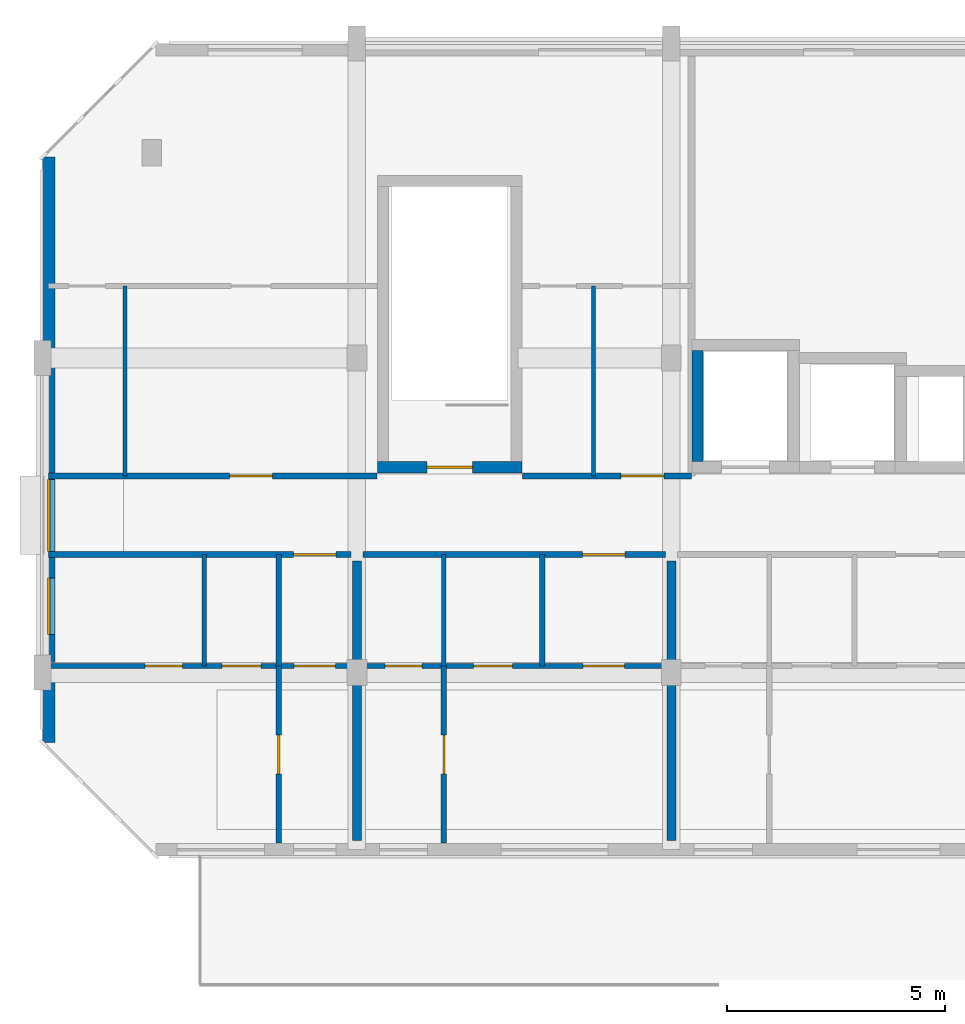
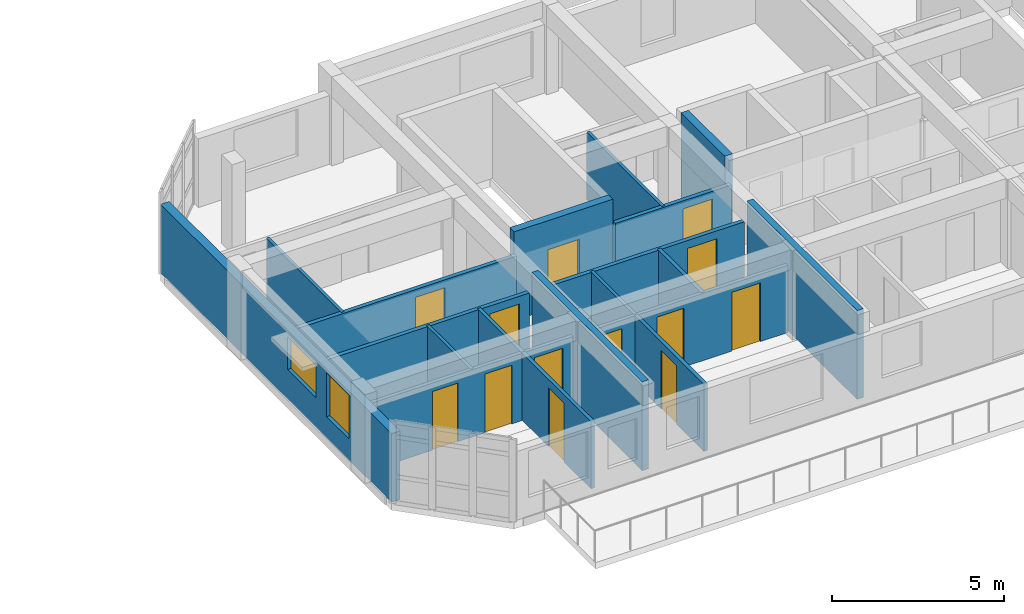
# One storey, part 15 of 40: 19 walls, 13 doors, 2 windows, 15 openings.
"""IFC4 building model written with IfcOpenShell, lengths in metres."""

from ifc_helpers import new_model, si_unit, direction, frame, frame_2d, origin, place, context, subcontext, project, spatial, rectangle, extrude, material, layer, layer_set, type_object, element, fill, save


model = new_model("IFC4")

# Units and contexts
model_context = context("Model", 3, precision=1e-05, world=origin(), true_north=direction((0.0, 1.0)))
body_context = subcontext(model_context, "Body", "Model", "MODEL_VIEW")
ifc_project = project(units=[si_unit("LENGTHUNIT", "METRE"), si_unit("AREAUNIT", "SQUARE_METRE"), si_unit("VOLUMEUNIT", "CUBIC_METRE"), si_unit("PLANEANGLEUNIT", "RADIAN"), si_unit("MASSUNIT", "GRAM", prefix="KILO")], contexts=[model_context])

# Site, building, storey
site_placement = place(None, origin())
site = spatial("IfcSite", under=ifc_project, at=site_placement, CompositionType="ELEMENT")
building_placement = place(site_placement, origin())
building = spatial("IfcBuilding", under=site, at=building_placement, Name="Ochrevale Crest", CompositionType="ELEMENT")
storey_placement = place(building_placement, frame((0.0, 0.0, 27.60009765625)))
storey = spatial("IfcBuildingStorey", under=building, at=storey_placement, Name="L08", CompositionType="ELEMENT", Elevation=27.60009765625)

# Wall, opening, door
ifc_material_1 = material(Name="Gypsum plasterboard", Category="gypsum")
ifc_layer_1 = layer(ifc_material_1, 0.139892578125)
ifc_layer_set_1 = layer_set([ifc_layer_1], Name="Gypsum plasterboard")
wall_type_1 = type_object("IfcWallType", Name="WL-COR-140", PredefinedType="PARTITIONING", material=ifc_layer_set_1)
wall_1_placement = place(storey_placement, frame((0.139892578125, 24.300048828125, 0.0), z_axis=(0.0, 0.0, 1.0), x_axis=(1.0, 0.0, 0.0)))
wall_1 = element("IfcWall", 1, at=wall_1_placement, inside=storey, type_object=wall_type_1, Name="Apartment A-L08-U1 corridor wall", PredefinedType="PARTITIONING", context=body_context, shape_type="SweptSolid", body=[
    extrude(rectangle(XDim=6.920166015625, YDim=0.139892578125, at=frame_2d((3.4599609375, 0.0))), origin(), (0.0, 0.0, 1.0), 2.3798828125),
])
opening_1_placement = place(wall_1_placement, frame((6.5849609375, 0.0, 0.0), z_axis=(0.0, 0.0, 1.0), x_axis=(-1.0, 0.0, 0.0)))
opening_1 = element("IfcOpeningElement", 2, at=opening_1_placement, cuts=wall_1, Name="Opening FD01", PredefinedType="OPENING", context=body_context, shape_type="SweptSolid", body=[
    extrude(rectangle(XDim=0.97998046875, YDim=2.10009765625, at=frame_2d((0.489990234375, 1.050048828125))), frame((0.0, 0.080078125, 0.0), z_axis=(0.0, -1.0, 0.0), x_axis=(1.0, 0.0, 0.0)), (0.0, 0.0, 1.0), 0.159912109375),
])
ifc_material_2 = material(Name="Solid-core FSC hardwood", Category="wood")
door_type_1 = type_object("IfcDoorType", Name="DR-APT-950", OperationType="NOTDEFINED", PredefinedType="DOOR", material=ifc_material_2)
door_1_placement = place(opening_1_placement, origin())
door_1 = element("IfcDoor", 3, at=door_1_placement, inside=storey, type_object=door_type_1, Name="Apartment A-L08-U1 entrance door", OperationType="SINGLE_SWING_RIGHT", OverallHeight=2.10009765625, OverallWidth=0.97998046875, PredefinedType="DOOR", context=body_context, shape_type="SweptSolid", body=[
    extrude(rectangle(XDim=0.97998046875, YDim=2.10009765625, at=frame_2d((0.489990234375, 1.050048828125))), frame((0.0, 0.02490234375, 0.0), z_axis=(0.0, -1.0, 0.0), x_axis=(1.0, 0.0, 0.0)), (0.0, 0.0, 1.0), 0.050048828125),
])
fill(opening_1, door_1)

wall_2_placement = place(storey_placement, frame((7.340087890625, 24.300048828125, 0.0), z_axis=(0.0, 0.0, 1.0), x_axis=(1.0, 0.0, 0.0)))
wall_2 = element("IfcWall", 4, at=wall_2_placement, inside=storey, type_object=wall_type_1, Name="Apartment A-L08-U2 corridor wall", PredefinedType="PARTITIONING", context=body_context, shape_type="SweptSolid", body=[
    extrude(rectangle(XDim=6.919921875, YDim=0.139892578125, at=frame_2d((3.4599609375, 0.0))), origin(), (0.0, 0.0, 1.0), 2.3798828125),
])
opening_2_placement = place(wall_2_placement, frame((5.02001953125, 0.0, 0.0)))
opening_2 = element("IfcOpeningElement", 5, at=opening_2_placement, cuts=wall_2, Name="Opening FD01", PredefinedType="OPENING", context=body_context, shape_type="SweptSolid", body=[
    extrude(rectangle(XDim=0.97998046875, YDim=2.10009765625, at=frame_2d((0.489990234375, 1.050048828125))), frame((0.0, 0.080078125, 0.0), z_axis=(0.0, -1.0, 0.0), x_axis=(1.0, 0.0, 0.0)), (0.0, 0.0, 1.0), 0.159912109375),
])
door_2_placement = place(opening_2_placement, origin())
door_2 = element("IfcDoor", 6, at=door_2_placement, inside=storey, type_object=door_type_1, Name="Apartment A-L08-U2 entrance door", OperationType="SINGLE_SWING_LEFT", OverallHeight=2.10009765625, OverallWidth=0.97998046875, PredefinedType="DOOR", context=body_context, shape_type="SweptSolid", body=[
    extrude(rectangle(XDim=0.97998046875, YDim=2.10009765625, at=frame_2d((0.489990234375, 1.050048828125))), frame((0.0, 0.02490234375, 0.0), z_axis=(0.0, -1.0, 0.0), x_axis=(1.0, 0.0, 0.0)), (0.0, 0.0, 1.0), 0.050048828125),
])
fill(opening_2, door_2)

wall_3_placement = place(storey_placement, frame((0.139892578125, 26.10009765625, 0.0), z_axis=(0.0, 0.0, 1.0), x_axis=(1.0, 0.0, 0.0)))
wall_3 = element("IfcWall", 7, at=wall_3_placement, inside=storey, type_object=wall_type_1, Name="Suite A-L08-CW corridor wall", PredefinedType="PARTITIONING", context=body_context, shape_type="SweptSolid", body=[
    extrude(rectangle(XDim=7.52001953125, YDim=0.139892578125, at=frame_2d((3.760009765625, 0.0))), origin(), (0.0, 0.0, 1.0), 2.3798828125),
])
opening_3_placement = place(wall_3_placement, frame((5.125, 0.0, 0.0), z_axis=(0.0, 0.0, 1.0), x_axis=(-1.0, 0.0, 0.0)))
opening_3 = element("IfcOpeningElement", 8, at=opening_3_placement, cuts=wall_3, Name="Opening FD01", PredefinedType="OPENING", context=body_context, shape_type="SweptSolid", body=[
    extrude(rectangle(XDim=0.97998046875, YDim=2.10009765625, at=frame_2d((0.489990234375, 1.050048828125))), frame((0.0, 0.080078125, 0.0), z_axis=(0.0, -1.0, 0.0), x_axis=(1.0, 0.0, 0.0)), (0.0, 0.0, 1.0), 0.159912109375),
])
door_3_placement = place(opening_3_placement, origin())
door_3 = element("IfcDoor", 9, at=door_3_placement, inside=storey, type_object=door_type_1, Name="Suite A-L08-CW entrance door", OperationType="SINGLE_SWING_RIGHT", OverallHeight=2.10009765625, OverallWidth=0.97998046875, PredefinedType="DOOR", context=body_context, shape_type="SweptSolid", body=[
    extrude(rectangle(XDim=0.97998046875, YDim=2.10009765625, at=frame_2d((0.489990234375, 1.050048828125))), frame((0.0, 0.02490234375, 0.0), z_axis=(0.0, -1.0, 0.0), x_axis=(1.0, 0.0, 0.0)), (0.0, 0.0, 1.0), 0.050048828125),
])
fill(opening_3, door_3)

wall_4_placement = place(storey_placement, frame((10.989990234375, 26.10009765625, 0.0), z_axis=(0.0, 0.0, 1.0), x_axis=(1.0, 0.0, 0.0)))
wall_4 = element("IfcWall", 10, at=wall_4_placement, inside=storey, type_object=wall_type_1, Name="Suite A-L08-MW corridor wall", PredefinedType="PARTITIONING", context=body_context, shape_type="SweptSolid", body=[
    extrude(rectangle(XDim=3.8701171875, YDim=0.139892578125, at=frame_2d((1.93505859375, 0.0))), origin(), (0.0, 0.0, 1.0), 2.3798828125),
])
opening_4_placement = place(wall_4_placement, frame((2.2578125, 0.0, 0.0)))
opening_4 = element("IfcOpeningElement", 11, at=opening_4_placement, cuts=wall_4, Name="Opening FD01", PredefinedType="OPENING", context=body_context, shape_type="SweptSolid", body=[
    extrude(rectangle(XDim=0.97998046875, YDim=2.10009765625, at=frame_2d((0.489990234375, 1.050048828125))), frame((0.0, 0.080078125, 0.0), z_axis=(0.0, -1.0, 0.0), x_axis=(1.0, 0.0, 0.0)), (0.0, 0.0, 1.0), 0.159912109375),
])
door_4_placement = place(opening_4_placement, origin())
door_4 = element("IfcDoor", 12, at=door_4_placement, inside=storey, type_object=door_type_1, Name="Suite A-L08-MW entrance door", OperationType="SINGLE_SWING_LEFT", OverallHeight=2.10009765625, OverallWidth=0.97998046875, PredefinedType="DOOR", context=body_context, shape_type="SweptSolid", body=[
    extrude(rectangle(XDim=0.97998046875, YDim=2.10009765625, at=frame_2d((0.489990234375, 1.050048828125))), frame((0.0, 0.02490234375, 0.0), z_axis=(0.0, -1.0, 0.0), x_axis=(1.0, 0.0, 0.0)), (0.0, 0.0, 1.0), 0.050048828125),
])
fill(opening_4, door_4)

ifc_material_3 = material(Name="Precast concrete C50/60", Category="concrete")
ifc_layer_2 = layer(ifc_material_3, 0.2548828125)
ifc_layer_set_2 = layer_set([ifc_layer_2], Name="Precast concrete C50/60")
wall_type_2 = type_object("IfcWallType", Name="WL-CORE-255", PredefinedType="SHEAR", material=ifc_layer_set_2)
wall_5_placement = place(storey_placement, frame((7.672607421875, 26.300048828125, 0.0), z_axis=(0.0, 0.0, 1.0), x_axis=(1.0, 0.0, 0.0)))
wall_5 = element("IfcWall", 13, at=wall_5_placement, inside=storey, type_object=wall_type_2, Name="Block A L08 Stair 1 precast core shear wall S", PredefinedType="SHEAR", context=body_context, shape_type="SweptSolid", body=[
    extrude(rectangle(XDim=3.304931640625, YDim=0.2548828125, at=frame_2d((1.65234375, 0.0))), origin(), (0.0, 0.0, 1.0), 3.14990234375),
])
opening_5_placement = place(wall_5_placement, frame((2.177490234375, 0.0, 0.0), z_axis=(0.0, 0.0, 1.0), x_axis=(-1.0, 0.0, 0.0)))
opening_5 = element("IfcOpeningElement", 14, at=opening_5_placement, cuts=wall_5, Name="Opening FD03", PredefinedType="OPENING", context=body_context, shape_type="SweptSolid", body=[
    extrude(rectangle(XDim=1.050048828125, YDim=2.1201171875, at=frame_2d((0.52490234375, 1.06005859375))), frame((0.0, 0.137451171875, 0.0), z_axis=(0.0, -1.0, 0.0), x_axis=(1.0, 0.0, 0.0)), (0.0, 0.0, 1.0), 0.27490234375),
])
door_type_2 = type_object("IfcDoorType", Name="DR-ST-1050", OperationType="NOTDEFINED", PredefinedType="DOOR", material=ifc_material_2)
door_5_placement = place(opening_5_placement, origin())
door_5 = element("IfcDoor", 15, at=door_5_placement, inside=storey, type_object=door_type_2, Name="Block A L08 fire stair 1 door", OperationType="SINGLE_SWING_RIGHT", OverallHeight=2.1201171875, OverallWidth=1.050048828125, PredefinedType="DOOR", context=body_context, shape_type="SweptSolid", body=[
    extrude(rectangle(XDim=1.050048828125, YDim=2.1201171875, at=frame_2d((0.52490234375, 1.06005859375))), frame((0.0, 0.02490234375, 0.0), z_axis=(0.0, -1.0, 0.0), x_axis=(1.0, 0.0, 0.0)), (0.0, 0.0, 1.0), 0.050048828125),
])
fill(opening_5, door_5)

# Wall
wall_6_placement = place(storey_placement, frame((15.0, 26.427490234375, 0.0), z_axis=(0.0, 0.0, 1.0), x_axis=(0.0, 1.0, 0.0)))
element("IfcWall", 16, at=wall_6_placement, inside=storey, type_object=wall_type_2, Name="Block A L08 Lift 1 precast shaft shear wall W", PredefinedType="SHEAR", context=body_context, shape_type="SweptSolid", body=[
    extrude(rectangle(XDim=2.544921875, YDim=0.2548828125, at=frame_2d((1.2724609375, 0.0))), origin(), (0.0, 0.0, 1.0), 3.14990234375),
])

# Wall, openings, windows
ifc_material_4 = material(Name="Clay face brickwork", Category="masonry")
ifc_layer_3 = layer(ifc_material_4, 0.2900390625)
ifc_layer_set_3 = layer_set([ifc_layer_3], Name="Clay face brickwork")
wall_type_3 = type_object("IfcWallType", Name="WL-EXT-BRICK-290", PredefinedType="SOLIDWALL", material=ifc_layer_set_3)
wall_7_placement = place(storey_placement, frame((0.14501953125, 33.39990234375, 0.0), z_axis=(0.0, 0.0, 1.0), x_axis=(0.0, -1.0, 0.0)))
wall_7 = element("IfcWall", 17, at=wall_7_placement, inside=storey, type_object=wall_type_3, Name="Block A L08 external facade wall E7", PredefinedType="SOLIDWALL", context=body_context, shape_type="SweptSolid", body=[
    extrude(rectangle(XDim=13.39990234375, YDim=0.2900390625, at=frame_2d((6.699951171875, 0.0))), origin(), (0.0, 0.0, 1.0), 2.429931640625),
])
opening_6_placement = place(wall_7_placement, frame((7.375, 0.0, 1.050048828125)))
opening_6 = element("IfcOpeningElement", 18, at=opening_6_placement, cuts=wall_7, Name="Opening W19", PredefinedType="OPENING", context=body_context, shape_type="SweptSolid", body=[
    extrude(rectangle(XDim=1.64990234375, YDim=1.14990234375, at=frame_2d((0.824951171875, 0.574951171875))), frame((0.0, 0.155029296875, 0.0), z_axis=(0.0, -1.0, 0.0), x_axis=(1.0, 0.0, 0.0)), (0.0, 0.0, 1.0), 0.31005859375),
])
opening_7_placement = place(wall_7_placement, frame((9.635009765625, 0.0, 0.75)))
opening_7 = element("IfcOpeningElement", 19, at=opening_7_placement, cuts=wall_7, Name="Opening W30", PredefinedType="OPENING", context=body_context, shape_type="SweptSolid", body=[
    extrude(rectangle(XDim=1.300048828125, YDim=1.550048828125, at=frame_2d((0.64990234375, 0.77490234375))), frame((0.0, 0.155029296875, 0.0), z_axis=(0.0, -1.0, 0.0), x_axis=(1.0, 0.0, 0.0)), (0.0, 0.0, 1.0), 0.31005859375),
])
ifc_material_5 = material(Name="Anodised aluminium 6063-T5 and low-E double glazing", Category="aluminium")
window_type_1 = type_object("IfcWindowType", Name="WIN-W19", PartitioningType="SINGLE_PANEL", PredefinedType="WINDOW", material=ifc_material_5)
window_1_placement = place(opening_6_placement, origin())
window_1 = element("IfcWindow", 20, at=window_1_placement, inside=storey, type_object=window_type_1, Name="Block A L08 corridor end daylight window W", OverallHeight=1.14990234375, OverallWidth=1.64990234375, PartitioningType="SINGLE_PANEL", PredefinedType="WINDOW", context=body_context, shape_type="SweptSolid", body=[
    extrude(rectangle(XDim=1.64990234375, YDim=1.14990234375, at=frame_2d((0.824951171875, 0.574951171875))), frame((0.0, 0.030029296875, 0.0), z_axis=(0.0, -1.0, 0.0), x_axis=(1.0, 0.0, 0.0)), (0.0, 0.0, 1.0), 0.06005859375),
])
fill(opening_6, window_1)
window_type_2 = type_object("IfcWindowType", Name="WIN-W30", PartitioningType="SINGLE_PANEL", PredefinedType="WINDOW", material=ifc_material_5)
window_2_placement = place(opening_7_placement, origin())
window_2 = element("IfcWindow", 21, at=window_2_placement, inside=storey, type_object=window_type_2, Name="Block A L08 side suite window W", OverallHeight=1.550048828125, OverallWidth=1.300048828125, PartitioningType="SINGLE_PANEL", PredefinedType="WINDOW", context=body_context, shape_type="SweptSolid", body=[
    extrude(rectangle(XDim=1.300048828125, YDim=1.550048828125, at=frame_2d((0.64990234375, 0.77490234375))), frame((0.0, 0.030029296875, 0.0), z_axis=(0.0, -1.0, 0.0), x_axis=(1.0, 0.0, 0.0)), (0.0, 0.0, 1.0), 0.06005859375),
])
fill(opening_7, window_2)

# Wall
ifc_layer_4 = layer(ifc_material_1, 0.1201171875)
ifc_layer_set_4 = layer_set([ifc_layer_4], Name="Gypsum plasterboard")
wall_type_4 = type_object("IfcWallType", Name="WL-PART-120", PredefinedType="PARTITIONING", material=ifc_layer_set_4)
wall_8_placement = place(storey_placement, frame((5.409912109375, 21.75, 0.0), z_axis=(0.0, 0.0, 1.0), x_axis=(0.0, 1.0, 0.0)))
element("IfcWall", 22, at=wall_8_placement, inside=storey, type_object=wall_type_4, Name="Apartment A-L08-U1 kitchen-foyer wall", PredefinedType="PARTITIONING", context=body_context, shape_type="SweptSolid", body=[
    extrude(rectangle(XDim=2.550048828125, YDim=0.1201171875, at=frame_2d((1.27490234375, 0.0))), origin(), (0.0, 0.0, 1.0), 2.3798828125),
])

# Wall, openings, doors
wall_9_placement = place(storey_placement, frame((0.139892578125, 21.75, 0.0), z_axis=(0.0, 0.0, 1.0), x_axis=(1.0, 0.0, 0.0)))
wall_9 = element("IfcWall", 23, at=wall_9_placement, inside=storey, type_object=wall_type_4, Name="Apartment A-L08-U1 central partition", PredefinedType="PARTITIONING", context=body_context, shape_type="SweptSolid", body=[
    extrude(rectangle(XDim=6.920166015625, YDim=0.1201171875, at=frame_2d((3.4599609375, 0.0))), origin(), (0.0, 0.0, 1.0), 2.3798828125),
])
opening_8_placement = place(wall_9_placement, frame((2.2099609375, 0.0, 0.0)))
opening_8 = element("IfcOpeningElement", 24, at=opening_8_placement, cuts=wall_9, Name="Opening ID01", PredefinedType="OPENING", context=body_context, shape_type="SweptSolid", body=[
    extrude(rectangle(XDim=0.85009765625, YDim=2.080078125, at=frame_2d((0.425048828125, 1.0400390625))), frame((0.0, 0.070068359375, 0.0), z_axis=(0.0, -1.0, 0.0), x_axis=(1.0, 0.0, 0.0)), (0.0, 0.0, 1.0), 0.14013671875),
])
opening_9_placement = place(wall_9_placement, frame((4.864990234375, 0.0, 0.0), z_axis=(0.0, 0.0, 1.0), x_axis=(-1.0, 0.0, 0.0)))
opening_9 = element("IfcOpeningElement", 25, at=opening_9_placement, cuts=wall_9, Name="Opening ID02", PredefinedType="OPENING", context=body_context, shape_type="SweptSolid", body=[
    extrude(rectangle(XDim=0.89990234375, YDim=2.080078125, at=frame_2d((0.449951171875, 1.0400390625))), frame((0.0, 0.070068359375, 0.0), z_axis=(0.0, -1.0, 0.0), x_axis=(1.0, 0.0, 0.0)), (0.0, 0.0, 1.0), 0.14013671875),
])
opening_10_placement = place(wall_9_placement, frame((5.6201171875, 0.0, 0.0)))
opening_10 = element("IfcOpeningElement", 26, at=opening_10_placement, cuts=wall_9, Name="Opening ID06", PredefinedType="OPENING", context=body_context, shape_type="SweptSolid", body=[
    extrude(rectangle(XDim=0.949951171875, YDim=2.080078125, at=frame_2d((0.47509765625, 1.0400390625))), frame((0.0, 0.070068359375, 0.0), z_axis=(0.0, -1.0, 0.0), x_axis=(1.0, 0.0, 0.0)), (0.0, 0.0, 1.0), 0.14013671875),
])
door_type_3 = type_object("IfcDoorType", Name="DR-INT-900", OperationType="NOTDEFINED", PredefinedType="DOOR", material=ifc_material_2)
door_6_placement = place(opening_9_placement, origin())
door_6 = element("IfcDoor", 27, at=door_6_placement, inside=storey, type_object=door_type_3, Name="Apartment A-L08-U1 Kitchen door", OperationType="SINGLE_SWING_RIGHT", OverallHeight=2.080078125, OverallWidth=0.89990234375, PredefinedType="DOOR", context=body_context, shape_type="SweptSolid", body=[
    extrude(rectangle(XDim=0.89990234375, YDim=2.080078125, at=frame_2d((0.449951171875, 1.0400390625))), frame((0.0, 0.02490234375, 0.0), z_axis=(0.0, -1.0, 0.0), x_axis=(1.0, 0.0, 0.0)), (0.0, 0.0, 1.0), 0.050048828125),
])
fill(opening_9, door_6)
door_type_4 = type_object("IfcDoorType", Name="DR-INT-950", OperationType="NOTDEFINED", PredefinedType="DOOR", material=ifc_material_2)
door_7_placement = place(opening_10_placement, origin())
door_7 = element("IfcDoor", 28, at=door_7_placement, inside=storey, type_object=door_type_4, Name="Apartment A-L08-U1 Living Foyer door", OperationType="SINGLE_SWING_LEFT", OverallHeight=2.080078125, OverallWidth=0.949951171875, PredefinedType="DOOR", context=body_context, shape_type="SweptSolid", body=[
    extrude(rectangle(XDim=0.949951171875, YDim=2.080078125, at=frame_2d((0.47509765625, 1.0400390625))), frame((0.0, 0.02490234375, 0.0), z_axis=(0.0, -1.0, 0.0), x_axis=(1.0, 0.0, 0.0)), (0.0, 0.0, 1.0), 0.050048828125),
])
fill(opening_10, door_7)
door_type_5 = type_object("IfcDoorType", Name="DR-WC-850", OperationType="NOTDEFINED", PredefinedType="DOOR", material=ifc_material_2)
door_8_placement = place(opening_8_placement, origin())
door_8 = element("IfcDoor", 29, at=door_8_placement, inside=storey, type_object=door_type_5, Name="Apartment A-L08-U1 Bathroom door", OperationType="SINGLE_SWING_LEFT", OverallHeight=2.080078125, OverallWidth=0.85009765625, PredefinedType="DOOR", context=body_context, shape_type="SweptSolid", body=[
    extrude(rectangle(XDim=0.85009765625, YDim=2.080078125, at=frame_2d((0.425048828125, 1.0400390625))), frame((0.0, 0.02490234375, 0.0), z_axis=(0.0, -1.0, 0.0), x_axis=(1.0, 0.0, 0.0)), (0.0, 0.0, 1.0), 0.050048828125),
])
fill(opening_8, door_8)

# Wall, opening, door
wall_10_placement = place(storey_placement, frame((5.409912109375, 17.699951171875, 0.0), z_axis=(0.0, 0.0, 1.0), x_axis=(0.0, 1.0, 0.0)))
wall_10 = element("IfcWall", 30, at=wall_10_placement, inside=storey, type_object=wall_type_4, Name="Apartment A-L08-U1 bedroom partition", PredefinedType="PARTITIONING", context=body_context, shape_type="SweptSolid", body=[
    extrude(rectangle(XDim=4.050048828125, YDim=0.1201171875, at=frame_2d((2.02490234375, 0.0))), origin(), (0.0, 0.0, 1.0), 2.3798828125),
])
opening_11_placement = place(wall_10_placement, frame((2.474853515625, 0.0, 0.0), z_axis=(0.0, 0.0, 1.0), x_axis=(-1.0, 0.0, 0.0)))
opening_11 = element("IfcOpeningElement", 31, at=opening_11_placement, cuts=wall_10, Name="Opening ID02", PredefinedType="OPENING", context=body_context, shape_type="SweptSolid", body=[
    extrude(rectangle(XDim=0.89990234375, YDim=2.080078125, at=frame_2d((0.449951171875, 1.0400390625))), frame((0.0, 0.070068359375, 0.0), z_axis=(0.0, -1.0, 0.0), x_axis=(1.0, 0.0, 0.0)), (0.0, 0.0, 1.0), 0.14013671875),
])
door_9_placement = place(opening_11_placement, origin())
door_9 = element("IfcDoor", 32, at=door_9_placement, inside=storey, type_object=door_type_3, Name="Apartment A-L08-U1 Double Bedroom door", OperationType="SINGLE_SWING_RIGHT", OverallHeight=2.080078125, OverallWidth=0.89990234375, PredefinedType="DOOR", context=body_context, shape_type="SweptSolid", body=[
    extrude(rectangle(XDim=0.89990234375, YDim=2.080078125, at=frame_2d((0.449951171875, 1.0400390625))), frame((0.0, 0.02490234375, 0.0), z_axis=(0.0, -1.0, 0.0), x_axis=(1.0, 0.0, 0.0)), (0.0, 0.0, 1.0), 0.050048828125),
])
fill(opening_11, door_9)

# Wall
wall_11_placement = place(storey_placement, frame((11.43994140625, 21.75, 0.0), z_axis=(0.0, 0.0, 1.0), x_axis=(0.0, 1.0, 0.0)))
element("IfcWall", 33, at=wall_11_placement, inside=storey, type_object=wall_type_4, Name="Apartment A-L08-U2 kitchen-foyer wall", PredefinedType="PARTITIONING", context=body_context, shape_type="SweptSolid", body=[
    extrude(rectangle(XDim=2.550048828125, YDim=0.1201171875, at=frame_2d((1.27490234375, 0.0))), origin(), (0.0, 0.0, 1.0), 2.3798828125),
])

# Wall, openings, doors
wall_12_placement = place(storey_placement, frame((7.340087890625, 21.75, 0.0), z_axis=(0.0, 0.0, 1.0), x_axis=(1.0, 0.0, 0.0)))
wall_12 = element("IfcWall", 34, at=wall_12_placement, inside=storey, type_object=wall_type_4, Name="Apartment A-L08-U2 central partition", PredefinedType="PARTITIONING", context=body_context, shape_type="SweptSolid", body=[
    extrude(rectangle(XDim=6.919921875, YDim=0.1201171875, at=frame_2d((3.4599609375, 0.0))), origin(), (0.0, 0.0, 1.0), 2.3798828125),
])
opening_12_placement = place(wall_12_placement, frame((1.35009765625, 0.0, 0.0), z_axis=(0.0, 0.0, 1.0), x_axis=(-1.0, 0.0, 0.0)))
opening_12 = element("IfcOpeningElement", 35, at=opening_12_placement, cuts=wall_12, Name="Opening ID01", PredefinedType="OPENING", context=body_context, shape_type="SweptSolid", body=[
    extrude(rectangle(XDim=0.85009765625, YDim=2.080078125, at=frame_2d((0.425048828125, 1.0400390625))), frame((0.0, 0.070068359375, 0.0), z_axis=(0.0, -1.0, 0.0), x_axis=(1.0, 0.0, 0.0)), (0.0, 0.0, 1.0), 0.14013671875),
])
opening_13_placement = place(wall_12_placement, frame((2.52490234375, 0.0, 0.0)))
opening_13 = element("IfcOpeningElement", 36, at=opening_13_placement, cuts=wall_12, Name="Opening ID02", PredefinedType="OPENING", context=body_context, shape_type="SweptSolid", body=[
    extrude(rectangle(XDim=0.89990234375, YDim=2.080078125, at=frame_2d((0.449951171875, 1.0400390625))), frame((0.0, 0.070068359375, 0.0), z_axis=(0.0, -1.0, 0.0), x_axis=(1.0, 0.0, 0.0)), (0.0, 0.0, 1.0), 0.14013671875),
])
opening_14_placement = place(wall_12_placement, frame((5.98486328125, 0.0, 0.0), z_axis=(0.0, 0.0, 1.0), x_axis=(-1.0, 0.0, 0.0)))
opening_14 = element("IfcOpeningElement", 37, at=opening_14_placement, cuts=wall_12, Name="Opening ID06", PredefinedType="OPENING", context=body_context, shape_type="SweptSolid", body=[
    extrude(rectangle(XDim=0.949951171875, YDim=2.080078125, at=frame_2d((0.47509765625, 1.0400390625))), frame((0.0, 0.070068359375, 0.0), z_axis=(0.0, -1.0, 0.0), x_axis=(1.0, 0.0, 0.0)), (0.0, 0.0, 1.0), 0.14013671875),
])
door_10_placement = place(opening_13_placement, origin())
door_10 = element("IfcDoor", 38, at=door_10_placement, inside=storey, type_object=door_type_3, Name="Apartment A-L08-U2 Kitchen door", OperationType="SINGLE_SWING_LEFT", OverallHeight=2.080078125, OverallWidth=0.89990234375, PredefinedType="DOOR", context=body_context, shape_type="SweptSolid", body=[
    extrude(rectangle(XDim=0.89990234375, YDim=2.080078125, at=frame_2d((0.449951171875, 1.0400390625))), frame((0.0, 0.02490234375, 0.0), z_axis=(0.0, -1.0, 0.0), x_axis=(1.0, 0.0, 0.0)), (0.0, 0.0, 1.0), 0.050048828125),
])
fill(opening_13, door_10)
door_11_placement = place(opening_14_placement, origin())
door_11 = element("IfcDoor", 39, at=door_11_placement, inside=storey, type_object=door_type_4, Name="Apartment A-L08-U2 Living Foyer door", OperationType="SINGLE_SWING_RIGHT", OverallHeight=2.080078125, OverallWidth=0.949951171875, PredefinedType="DOOR", context=body_context, shape_type="SweptSolid", body=[
    extrude(rectangle(XDim=0.949951171875, YDim=2.080078125, at=frame_2d((0.47509765625, 1.0400390625))), frame((0.0, 0.02490234375, 0.0), z_axis=(0.0, -1.0, 0.0), x_axis=(1.0, 0.0, 0.0)), (0.0, 0.0, 1.0), 0.050048828125),
])
fill(opening_14, door_11)
door_12_placement = place(opening_12_placement, origin())
door_12 = element("IfcDoor", 40, at=door_12_placement, inside=storey, type_object=door_type_5, Name="Apartment A-L08-U2 Bathroom door", OperationType="SINGLE_SWING_RIGHT", OverallHeight=2.080078125, OverallWidth=0.85009765625, PredefinedType="DOOR", context=body_context, shape_type="SweptSolid", body=[
    extrude(rectangle(XDim=0.85009765625, YDim=2.080078125, at=frame_2d((0.425048828125, 1.0400390625))), frame((0.0, 0.02490234375, 0.0), z_axis=(0.0, -1.0, 0.0), x_axis=(1.0, 0.0, 0.0)), (0.0, 0.0, 1.0), 0.050048828125),
])
fill(opening_12, door_12)

# Wall, opening, door
wall_13_placement = place(storey_placement, frame((9.18994140625, 17.699951171875, 0.0), z_axis=(0.0, 0.0, 1.0), x_axis=(0.0, 1.0, 0.0)))
wall_13 = element("IfcWall", 41, at=wall_13_placement, inside=storey, type_object=wall_type_4, Name="Apartment A-L08-U2 bedroom partition", PredefinedType="PARTITIONING", context=body_context, shape_type="SweptSolid", body=[
    extrude(rectangle(XDim=4.050048828125, YDim=0.1201171875, at=frame_2d((2.02490234375, 0.0))), origin(), (0.0, 0.0, 1.0), 2.3798828125),
])
opening_15_placement = place(wall_13_placement, frame((1.574951171875, 0.0, 0.0)))
opening_15 = element("IfcOpeningElement", 42, at=opening_15_placement, cuts=wall_13, Name="Opening ID02", PredefinedType="OPENING", context=body_context, shape_type="SweptSolid", body=[
    extrude(rectangle(XDim=0.89990234375, YDim=2.080078125, at=frame_2d((0.449951171875, 1.0400390625))), frame((0.0, 0.070068359375, 0.0), z_axis=(0.0, -1.0, 0.0), x_axis=(1.0, 0.0, 0.0)), (0.0, 0.0, 1.0), 0.14013671875),
])
door_13_placement = place(opening_15_placement, origin())
door_13 = element("IfcDoor", 43, at=door_13_placement, inside=storey, type_object=door_type_3, Name="Apartment A-L08-U2 Master Bedroom door", OperationType="SINGLE_SWING_LEFT", OverallHeight=2.080078125, OverallWidth=0.89990234375, PredefinedType="DOOR", context=body_context, shape_type="SweptSolid", body=[
    extrude(rectangle(XDim=0.89990234375, YDim=2.080078125, at=frame_2d((0.449951171875, 1.0400390625))), frame((0.0, 0.02490234375, 0.0), z_axis=(0.0, -1.0, 0.0), x_axis=(1.0, 0.0, 0.0)), (0.0, 0.0, 1.0), 0.050048828125),
])
fill(opening_15, door_13)

# Walls
ifc_material_6 = material(Name="Precast concrete C40/50", Category="concrete")
ifc_layer_5 = layer(ifc_material_6, 0.2099609375)
ifc_layer_set_5 = layer_set([ifc_layer_5], Name="Precast concrete C40/50")
wall_type_5 = type_object("IfcWallType", Name="WL-SHEAR-210", PredefinedType="SHEAR", material=ifc_layer_set_5)
for number, where, z_axis, x_axis, name in (
    (44, (7.199951171875, 17.75, 0.0), (0.0, 0.0, 1.0), (0.0, 1.0, 0.0), "Block A L08 load-bearing precast cross-wall X=7.2"),
    (45, (14.39990234375, 17.75, 0.0), (0.0, 0.0, 1.0), (0.0, 1.0, 0.0), "Block A L08 load-bearing precast cross-wall X=14.4"),
):
    element("IfcWall", number, at=place(storey_placement, frame(where, z_axis=z_axis, x_axis=x_axis)), inside=storey, type_object=wall_type_5, Name=name, PredefinedType="SHEAR", context=body_context, shape_type="SweptSolid", body=[
        extrude(rectangle(XDim=6.39990234375, YDim=0.2099609375, at=frame_2d((3.199951171875, 0.0))), origin(), (0.0, 0.0, 1.0), 3.14990234375),
    ])
ifc_layer_6 = layer(ifc_material_1, 0.10009765625)
ifc_layer_set_6 = layer_set([ifc_layer_6], Name="Gypsum plasterboard")
wall_type_6 = type_object("IfcWallType", Name="WL-WET-100", PredefinedType="PARTITIONING", material=ifc_layer_set_6)
for number, where, z_axis, x_axis, name in (
    (46, (3.699951171875, 21.75, 0.0), (0.0, 0.0, 1.0), (0.0, 1.0, 0.0), "Apartment A-L08-U1 bath-kitchen wall"),
    (47, (9.18994140625, 21.75, 0.0), (0.0, 0.0, 1.0), (0.0, 1.0, 0.0), "Apartment A-L08-U2 bath-kitchen wall"),
):
    element("IfcWall", number, at=place(storey_placement, frame(where, z_axis=z_axis, x_axis=x_axis)), inside=storey, type_object=wall_type_6, Name=name, PredefinedType="PARTITIONING", context=body_context, shape_type="SweptSolid", body=[
        extrude(rectangle(XDim=2.550048828125, YDim=0.10009765625, at=frame_2d((1.27490234375, 0.0))), origin(), (0.0, 0.0, 1.0), 2.3798828125),
    ])
for number, where, z_axis, x_axis, name in (
    (48, (1.889892578125, 26.10009765625, 0.0), (0.0, 0.0, 1.0), (0.0, 1.0, 0.0), "Suite A-L08-CW bathroom divider"),
    (49, (12.615478515625, 26.10009765625, 0.0), (0.0, 0.0, 1.0), (0.0, 1.0, 0.0), "Suite A-L08-MW bathroom divider"),
):
    element("IfcWall", number, at=place(storey_placement, frame(where, z_axis=z_axis, x_axis=x_axis)), inside=storey, type_object=wall_type_6, Name=name, PredefinedType="PARTITIONING", context=body_context, shape_type="SweptSolid", body=[
        extrude(rectangle(XDim=4.349853515625, YDim=0.10009765625, at=frame_2d((2.1748046875, 0.0))), origin(), (0.0, 0.0, 1.0), 2.3798828125),
    ])

save(model, "model.ifc")
